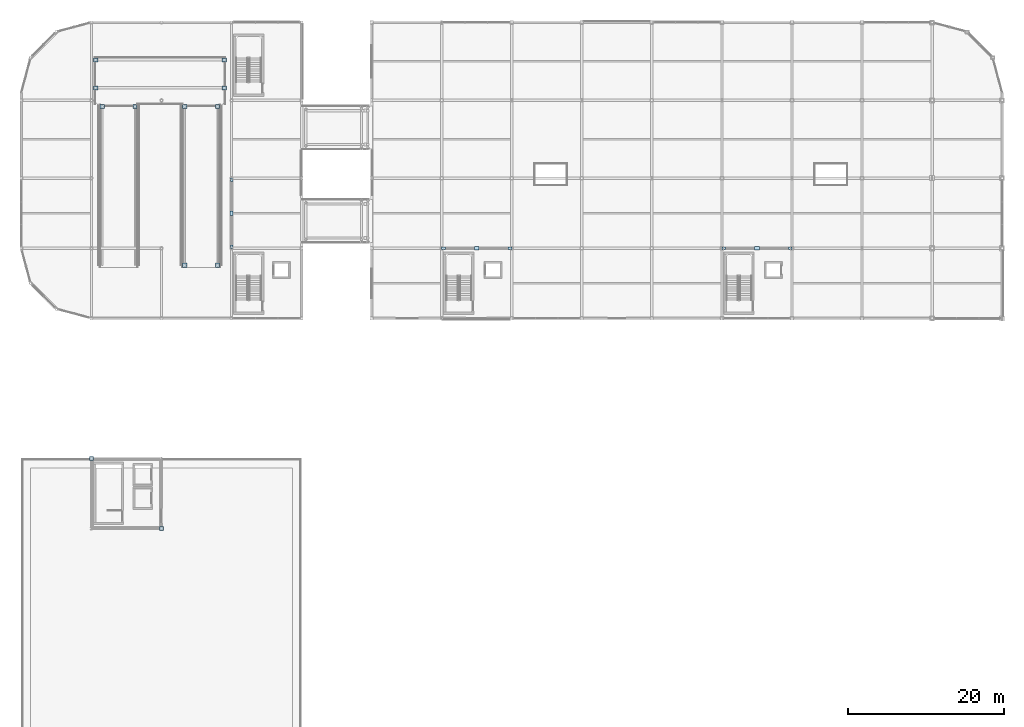
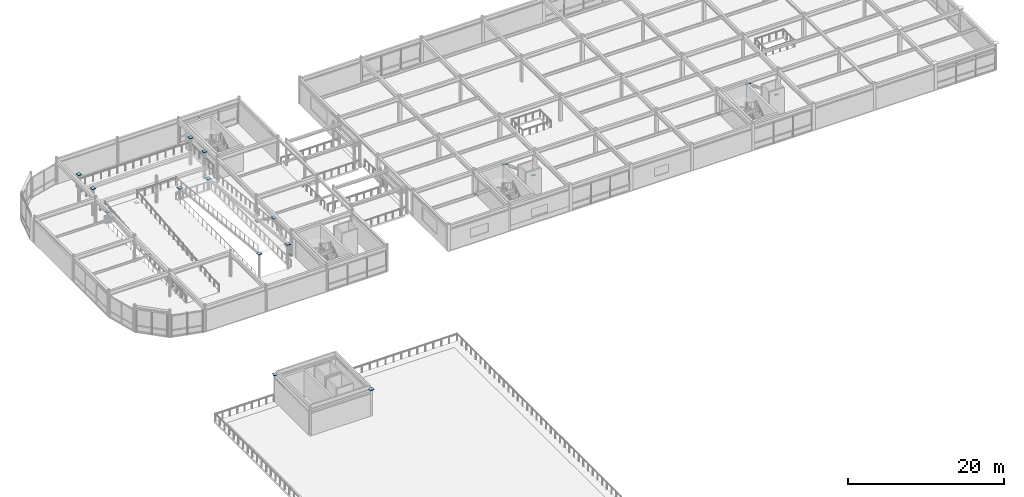
# One storey, part 44 of 70: 21 plates.
"""IFC4 building model written with IfcOpenShell, lengths in metres."""

from ifc_helpers import new_model, si_unit, direction, frame, origin, origin_2d, place, context, subcontext, project, spatial, rectangle, extrude, material, layer, layer_set, type_object, element, save


model = new_model("IFC4")

# Units and contexts
model_context = context("Model", 3, precision=1e-05, world=origin(), true_north=direction((0.0, 1.0)))
body_context = subcontext(model_context, "Body", "Model", "MODEL_VIEW")
ifc_project = project(units=[si_unit("LENGTHUNIT", "METRE"), si_unit("AREAUNIT", "SQUARE_METRE"), si_unit("VOLUMEUNIT", "CUBIC_METRE"), si_unit("PLANEANGLEUNIT", "RADIAN"), si_unit("MASSUNIT", "GRAM", prefix="KILO")], contexts=[model_context])

# Site, building, storey
site_placement = place(None, origin())
site = spatial("IfcSite", under=ifc_project, at=site_placement, CompositionType="ELEMENT")
building_placement = place(site_placement, origin())
building = spatial("IfcBuilding", under=site, at=building_placement, Name="Suzunagisa Mobility Hub", CompositionType="ELEMENT")
storey_placement = place(building_placement, frame((0.0, 0.0, 13.5)))
storey = spatial("IfcBuildingStorey", under=building, at=storey_placement, Name="L03", CompositionType="ELEMENT", Elevation=13.5)

# Plates
ifc_material = material(Name="Steel SN490B", Category="steel")
ifc_layer_1 = layer(ifc_material, 0.02392578125)
ifc_layer_set_1 = layer_set([ifc_layer_1], Name="Steel SN490B")
plate_type_1 = type_object("IfcPlateType", Name="Structural Steel Plate SP-01 550x550x24", PredefinedType="USERDEFINED", material=ifc_layer_set_1)
for number, where, z_axis, x_axis, name in (
    (1, (9.0, 62.0, 4.14013671875), (0.0, 0.0, 1.0), (1.0, 0.0, 0.0), "L03 Column Cap Plate CP-27"),
    (2, (9.550048828125, 109.60009765625, 4.199951171875), (0.0, 0.0, 1.0), (1.0, 0.0, 0.0), "L03 Column Cap Plate CP-33"),
    (3, (9.550048828125, 113.199951171875, 4.199951171875), (0.0, 0.0, 1.0), (1.0, 0.0, 0.0), "L03 Column Cap Plate CP-34"),
    (4, (10.39990234375, 107.199951171875, 1.699951171875), (0.0, 0.0, 1.0), (1.0, 0.0, 0.0), "L03 Column Cap Plate CP-36"),
    (5, (14.60009765625, 107.199951171875, 1.699951171875), (0.0, 0.0, 1.0), (1.0, 0.0, 0.0), "L03 Column Cap Plate CP-39"),
    (6, (18.0, 53.0, 4.14013671875), (0.0, 0.0, 1.0), (1.0, 0.0, 0.0), "L03 Column Cap Plate CP-47"),
    (7, (21.0, 86.800048828125, 3.800048828125), (0.0, 0.0, 1.0), (1.0, 0.0, 0.0), "L03 Column Cap Plate CP-55"),
    (8, (21.0, 107.199951171875, 1.699951171875), (0.0, 0.0, 1.0), (1.0, 0.0, 0.0), "L03 Column Cap Plate CP-56"),
    (9, (25.199951171875, 86.800048828125, 3.800048828125), (0.0, 0.0, 1.0), (1.0, 0.0, 0.0), "L03 Column Cap Plate CP-57"),
    (10, (25.199951171875, 107.199951171875, 1.699951171875), (0.0, 0.0, 1.0), (1.0, 0.0, 0.0), "L03 Column Cap Plate CP-58"),
    (11, (26.050048828125, 109.60009765625, 4.199951171875), (0.0, 0.0, 1.0), (1.0, 0.0, 0.0), "L03 Column Cap Plate CP-60"),
    (12, (26.050048828125, 113.199951171875, 4.199951171875), (0.0, 0.0, 1.0), (1.0, 0.0, 0.0), "L03 Column Cap Plate CP-61"),
):
    element("IfcPlate", number, at=place(storey_placement, frame(where, z_axis=z_axis, x_axis=x_axis)), inside=storey, type_object=plate_type_1, Name=name, ObjectType="BASE PLATE", PredefinedType="USERDEFINED", context=body_context, shape_type="SweptSolid", body=[
        extrude(rectangle(XDim=0.550048828125, YDim=0.550048828125, at=origin_2d()), origin(), (0.0, 0.0, 1.0), 0.02392578125),
    ])
ifc_layer_2 = layer(ifc_material, 0.028076171875)
ifc_layer_set_2 = layer_set([ifc_layer_2], Name="Steel SN490B")
plate_type_2 = type_object("IfcPlateType", Name="Structural Steel Plate SP-04 480x320x28", PredefinedType="USERDEFINED", material=ifc_layer_set_2)
for number, where, z_axis, x_axis, name in (
    (13, (27.0, 89.19775390625, 0.10595703125), (0.0, 0.0, 1.0), (1.0, 0.0, 0.0), "L03 Brace Foot Gusset Plate FGP-112.1"),
    (14, (27.0, 97.80224609375, 0.10595703125), (0.0, 0.0, 1.0), (1.0, 0.0, 0.0), "L03 Brace Foot Gusset Plate FGP-112.2"),
):
    element("IfcPlate", number, at=place(storey_placement, frame(where, z_axis=z_axis, x_axis=x_axis)), inside=storey, type_object=plate_type_2, Name=name, ObjectType="GUSSET PLATE", PredefinedType="USERDEFINED", context=body_context, shape_type="SweptSolid", body=[
        extrude(rectangle(XDim=0.320068359375, YDim=0.47998046875, at=origin_2d()), origin(), (0.0, 0.0, 1.0), 0.028076171875),
    ])
for number, where, z_axis, x_axis, name in (
    (15, (54.219970703125, 89.0, 0.10595703125), (0.0, 0.0, 1.0), (1.0, 0.0, 0.0), "L03 Brace Foot Gusset Plate FGP-116.1"),
    (16, (62.780029296875, 89.0, 0.10595703125), (0.0, 0.0, 1.0), (1.0, 0.0, 0.0), "L03 Brace Foot Gusset Plate FGP-116.2"),
    (17, (90.219970703125, 89.0, 0.10595703125), (0.0, 0.0, 1.0), (1.0, 0.0, 0.0), "L03 Brace Foot Gusset Plate FGP-122.1"),
    (18, (98.780029296875, 89.0, 0.10595703125), (0.0, 0.0, 1.0), (1.0, 0.0, 0.0), "L03 Brace Foot Gusset Plate FGP-122.2"),
):
    element("IfcPlate", number, at=place(storey_placement, frame(where, z_axis=z_axis, x_axis=x_axis)), inside=storey, type_object=plate_type_2, Name=name, ObjectType="GUSSET PLATE", PredefinedType="USERDEFINED", context=body_context, shape_type="SweptSolid", body=[
        extrude(rectangle(XDim=0.47998046875, YDim=0.320068359375, at=origin_2d()), origin(), (0.0, 0.0, 1.0), 0.028076171875),
    ])
ifc_layer_3 = layer(ifc_material, 0.028076171875)
ifc_layer_set_3 = layer_set([ifc_layer_3], Name="Steel SN490B")
plate_type_3 = type_object("IfcPlateType", Name="Structural Steel Plate SP-06 600x400x28", PredefinedType="USERDEFINED", material=ifc_layer_set_3)
plate_placement = place(storey_placement, frame((27.0, 93.5, 3.22216796875), z_axis=(0.0, 0.0, 1.0), x_axis=(1.0, 0.0, 0.0)))
element("IfcPlate", 19, at=plate_placement, inside=storey, type_object=plate_type_3, Name="L03 Brace Apex Gusset GP-112", ObjectType="GUSSET PLATE", PredefinedType="USERDEFINED", context=body_context, shape_type="SweptSolid", body=[
    extrude(rectangle(XDim=0.39990234375, YDim=0.60009765625, at=origin_2d()), origin(), (0.0, 0.0, 1.0), 0.028076171875),
])
for number, where, z_axis, x_axis, name in (
    (20, (58.5, 89.0, 3.333984375), (0.0, 0.0, 1.0), (1.0, 0.0, 0.0), "L03 Brace Apex Gusset GP-116"),
    (21, (94.5, 89.0, 3.333984375), (0.0, 0.0, 1.0), (1.0, 0.0, 0.0), "L03 Brace Apex Gusset GP-122"),
):
    element("IfcPlate", number, at=place(storey_placement, frame(where, z_axis=z_axis, x_axis=x_axis)), inside=storey, type_object=plate_type_3, Name=name, ObjectType="GUSSET PLATE", PredefinedType="USERDEFINED", context=body_context, shape_type="SweptSolid", body=[
        extrude(rectangle(XDim=0.60009765625, YDim=0.39990234375, at=origin_2d()), origin(), (0.0, 0.0, 1.0), 0.028076171875),
    ])

save(model, "model.ifc")
